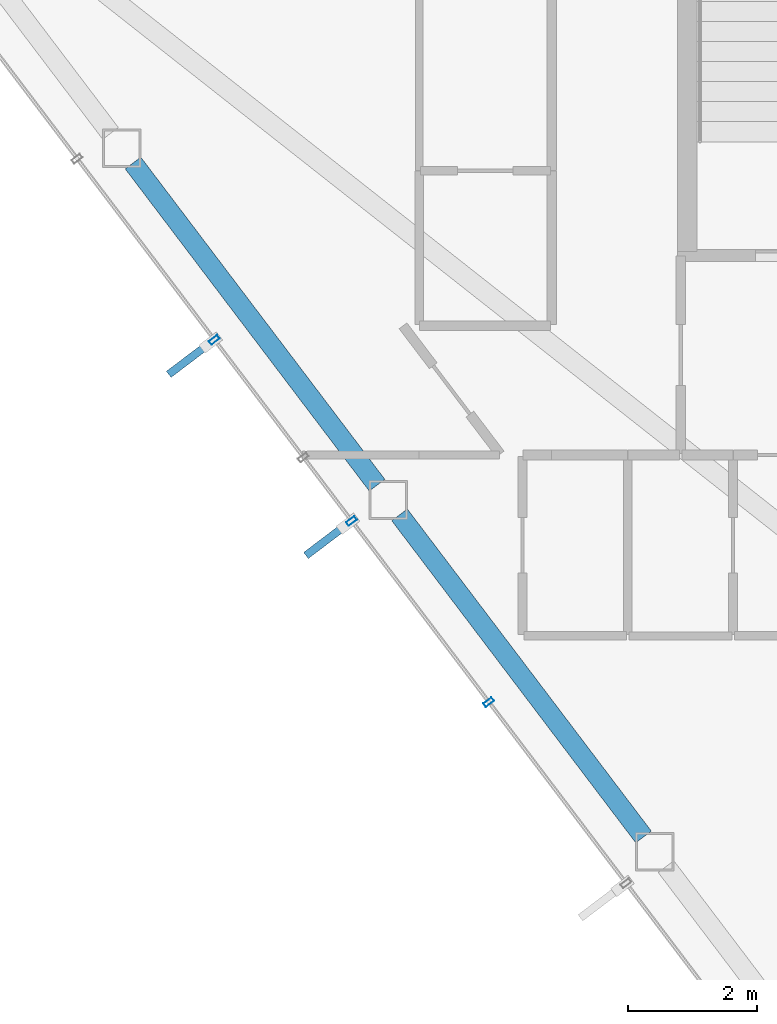
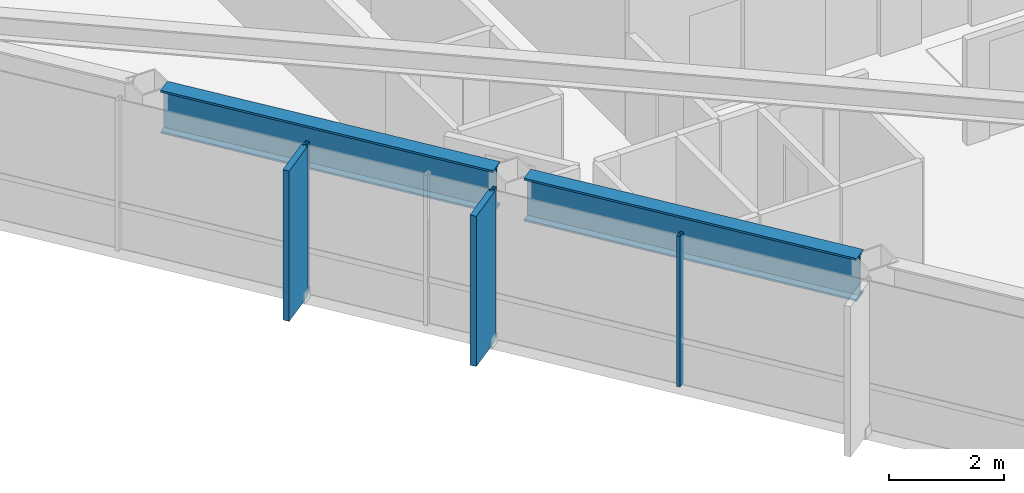
# One storey, part 3 of 25: 5 members, 2 beams, 1 element without a shape of its own.
"""IFC4 building model written with IfcOpenShell, lengths in metres."""

from ifc_helpers import new_model, si_unit, direction, frame, origin, origin_2d, place, context, subcontext, project, spatial, rectangle, hollow_rectangle, i_section, extrude, material, layer, layer_set, material_profile, profile_set, type_object, element, aggregate, save


model = new_model("IFC4")

# Units and contexts
model_context = context("Model", 3, precision=1e-05, world=origin(), true_north=direction((0.0, 1.0)))
body_context = subcontext(model_context, "Body", "Model", "MODEL_VIEW")
ifc_project = project(units=[si_unit("LENGTHUNIT", "METRE"), si_unit("AREAUNIT", "SQUARE_METRE"), si_unit("VOLUMEUNIT", "CUBIC_METRE"), si_unit("PLANEANGLEUNIT", "RADIAN"), si_unit("MASSUNIT", "GRAM", prefix="KILO")], contexts=[model_context])

# Site, building, storey
site_placement = place(None, origin())
site = spatial("IfcSite", under=ifc_project, at=site_placement, CompositionType="ELEMENT")
building_placement = place(site_placement, origin())
building = spatial("IfcBuilding", under=site, at=building_placement, Name="Zarrinselat Tower", CompositionType="ELEMENT")
storey_placement = place(building_placement, frame((0.0, 0.0, 212.159912109375)))
storey = spatial("IfcBuildingStorey", under=building, at=storey_placement, Name="L52", CompositionType="ELEMENT", Elevation=212.159912109375)

# Beams
ifc_material_1 = material(Name="Steel S460M", Category="steel")
ifc_material_profile_1 = material_profile(ifc_material_1, i_section(OverallWidth=0.302001953125, OverallDepth=0.909912109375, WebThickness=0.02099609375, FlangeThickness=0.0400390625, at=origin_2d()), Name="HEM 900")
ifc_profile_set_1 = profile_set([ifc_material_profile_1], Name="Steel S460M")
beam_type = type_object("IfcBeamType", Name="BM-HEM900", PredefinedType="BEAM", material=ifc_profile_set_1)
beam_1_placement = place(storey_placement, frame((20.069091796875, 34.6708984375, 2.72509765625), z_axis=(0.603869707238, -0.797083042525, 0.0), x_axis=(0.797083042525, 0.603869707238, 0.0)))
element("IfcBeam", 1, at=beam_1_placement, inside=storey, type_object=beam_type, Name="L52 Perimeter Spandrel Girder SP07", PredefinedType="BEAM", context=body_context, shape_type="SweptSolid", body=[
    extrude(i_section(OverallWidth=0.302001953125, OverallDepth=0.909912109375, WebThickness=0.02099609375, FlangeThickness=0.0400390625, at=origin_2d()), origin(), (0.0, 0.0, 1.0), 6.25732421875),
])
beam_2_placement = place(storey_placement, frame((24.1953125, 29.22412109375, 2.72509765625), z_axis=(0.603888487987, -0.797068813891, 0.0), x_axis=(0.797068813891, 0.603888487987, 0.0)))
element("IfcBeam", 2, at=beam_2_placement, inside=storey, type_object=beam_type, Name="L52 Perimeter Spandrel Girder SP08", PredefinedType="BEAM", context=body_context, shape_type="SweptSolid", body=[
    extrude(i_section(OverallWidth=0.302001953125, OverallDepth=0.909912109375, WebThickness=0.02099609375, FlangeThickness=0.0400390625, at=origin_2d()), origin(), (0.0, 0.0, 1.0), 6.257080078125),
])

# Curtain wall, members
ifc_material_2 = material(Name="Extruded Aluminium Alloy EN AW-6063 T6", Category="aluminium")
ifc_layer = layer(ifc_material_2, 0.169921875)
ifc_layer_set = layer_set([ifc_layer], Name="Extruded Aluminium Alloy EN AW-6063 T6")
curtain_wall_type = type_object("IfcCurtainWallType", Name="CWS-RES", PredefinedType="NOTDEFINED", material=ifc_layer_set)
curtain_wall_placement = place(storey_placement, origin())
curtain_wall = element("IfcCurtainWall", 3, at=curtain_wall_placement, inside=storey, type_object=curtain_wall_type, Name="L52 Unitised Curtain Wall CW-L52-E03", PredefinedType="NOTDEFINED")
ifc_material_3 = material(Name="Extruded Aluminium Alloy EN AW-6063 T6", Category="aluminium")
ifc_material_profile_2 = material_profile(ifc_material_3, hollow_rectangle(XDim=0.070068359375, YDim=0.159912109375, WallThickness=0.00390625, at=origin_2d()), Name="RHS 160x70x4")
ifc_profile_set_2 = profile_set([ifc_material_profile_2], Name="Extruded Aluminium Alloy EN AW-6063 T6")
member_type_1 = type_object("IfcMemberType", Name="MEM-CW-MUL2", PredefinedType="MULLION", material=ifc_profile_set_2)
member_1_placement = place(storey_placement, frame((21.32763671875, 31.933349609375, 0.0), z_axis=(0.0, 0.0, 1.0), x_axis=(0.603858850791, -0.797091267247, 0.0)))
member_1 = element("IfcMember", 4, at=member_1_placement, type_object=member_type_1, Name="CW-L52-E03 Mullion 3", PredefinedType="MULLION", context=body_context, shape_type="SweptSolid", body=[
    extrude(hollow_rectangle(XDim=0.070068359375, YDim=0.159912109375, WallThickness=0.00390625, at=origin_2d()), origin(), (0.0, 0.0, 1.0), 3.18017578125),
])
member_2_placement = place(storey_placement, frame((23.452392578125, 29.12890625, 0.0), z_axis=(0.0, 0.0, 1.0), x_axis=(0.603858850791, -0.797091267247, 0.0)))
member_2 = element("IfcMember", 5, at=member_2_placement, type_object=member_type_1, Name="CW-L52-E03 Mullion 5", PredefinedType="MULLION", context=body_context, shape_type="SweptSolid", body=[
    extrude(hollow_rectangle(XDim=0.070068359375, YDim=0.159912109375, WallThickness=0.00390625, at=origin_2d()), origin(), (0.0, 0.0, 1.0), 3.18017578125),
])
member_3_placement = place(storey_placement, frame((25.576904296875, 26.32421875, 0.0), z_axis=(0.0, 0.0, 1.0), x_axis=(0.603858850791, -0.797091267247, 0.0)))
member_3 = element("IfcMember", 6, at=member_3_placement, type_object=member_type_1, Name="CW-L52-E03 Mullion 6", PredefinedType="MULLION", context=body_context, shape_type="SweptSolid", body=[
    extrude(hollow_rectangle(XDim=0.070068359375, YDim=0.159912109375, WallThickness=0.00390625, at=origin_2d()), origin(), (0.0, 0.0, 1.0), 3.18017578125),
])
ifc_material_4 = material(Name="Honed Cream Travertine Stone", Category="masonry")
ifc_material_profile_3 = material_profile(ifc_material_4, rectangle(XDim=0.1201171875, YDim=0.85009765625, at=origin_2d()), Name="FIN 850x120")
ifc_profile_set_3 = profile_set([ifc_material_profile_3], Name="Honed Cream Travertine Stone")
member_type_2 = type_object("IfcMemberType", Name="MEM-STONE-FIN", PredefinedType="USERDEFINED", material=ifc_profile_set_3)
member_4_placement = place(storey_placement, frame((20.9609375, 31.655517578125, 0.0), z_axis=(0.0, 0.0, 1.0), x_axis=(-0.603858850791, 0.797091267247, 0.0)))
member_4 = element("IfcMember", 7, at=member_4_placement, type_object=member_type_2, Name="L52 Stone Shading Fin CW-L52-E03-03", ObjectType="FIN", PredefinedType="USERDEFINED", context=body_context, shape_type="SweptSolid", body=[
    extrude(rectangle(XDim=0.1201171875, YDim=0.85009765625, at=origin_2d()), origin(), (0.0, 0.0, 1.0), 3.18017578125),
])
member_5_placement = place(storey_placement, frame((23.085693359375, 28.85107421875, 0.0), z_axis=(0.0, 0.0, 1.0), x_axis=(-0.603858850791, 0.797091267247, 0.0)))
member_5 = element("IfcMember", 8, at=member_5_placement, type_object=member_type_2, Name="L52 Stone Shading Fin CW-L52-E03-05", ObjectType="FIN", PredefinedType="USERDEFINED", context=body_context, shape_type="SweptSolid", body=[
    extrude(rectangle(XDim=0.1201171875, YDim=0.85009765625, at=origin_2d()), origin(), (0.0, 0.0, 1.0), 3.18017578125),
])
aggregate(curtain_wall, [member_1, member_4, member_2, member_5, member_3])

save(model, "model.ifc")
